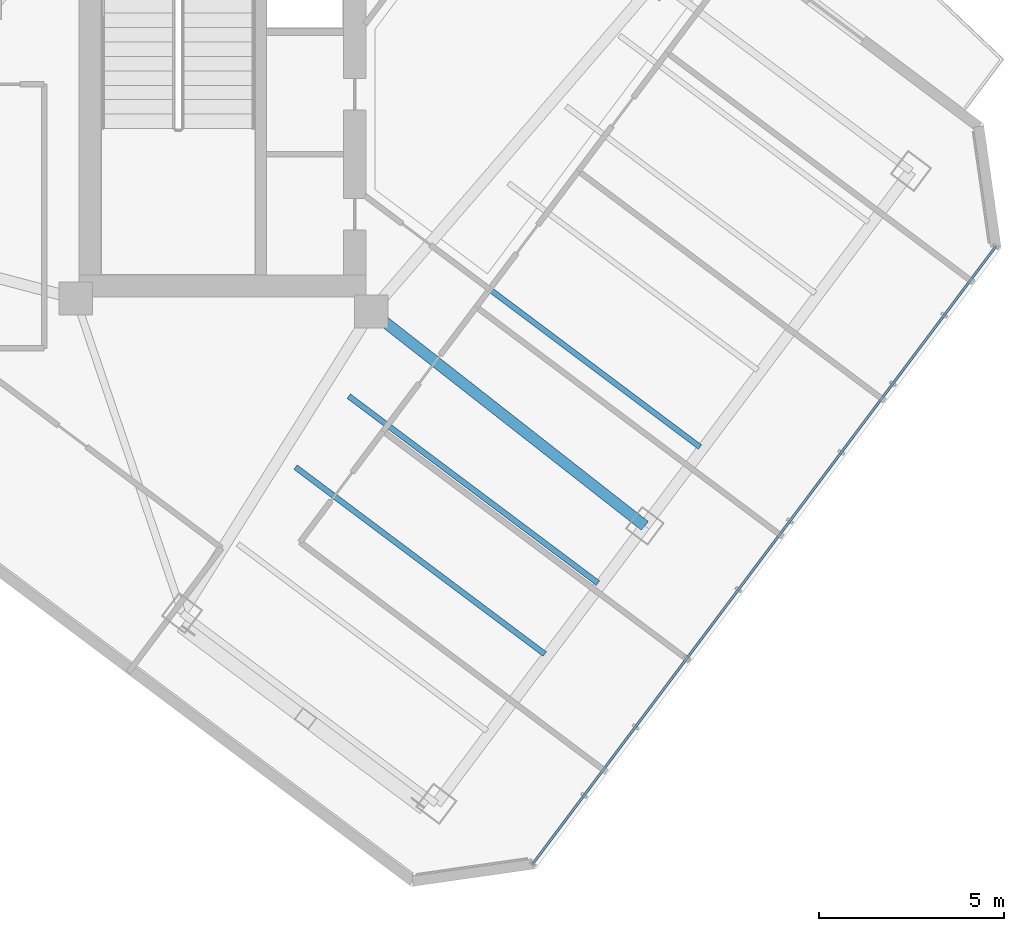
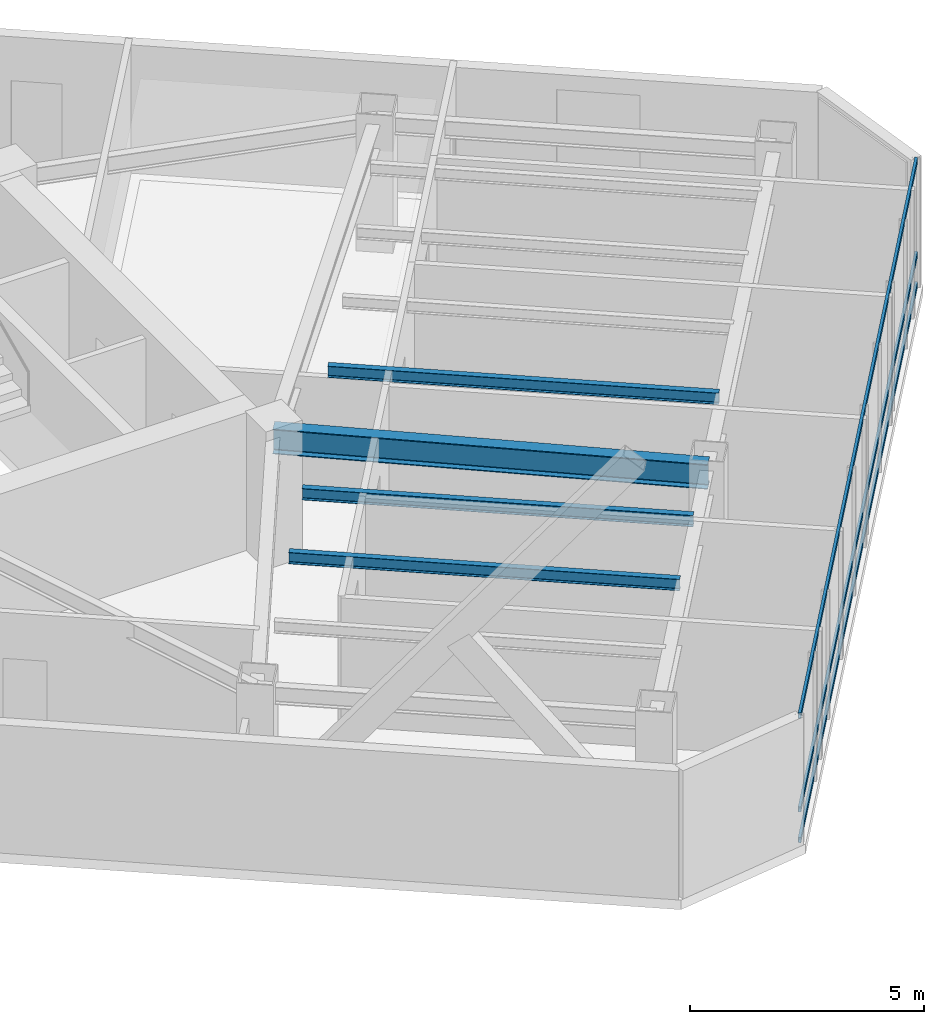
# One storey, part 12 of 27: 4 beams, 3 members, 1 element without a shape of its own.
"""IFC4 building model written with IfcOpenShell, lengths in metres."""

from ifc_helpers import new_model, si_unit, direction, frame, origin, origin_2d, place, context, subcontext, project, spatial, hollow_rectangle, i_section, extrude, material, layer, layer_set, material_profile, profile_set, type_object, element, aggregate, save


model = new_model("IFC4")

# Units and contexts
model_context = context("Model", 3, precision=1e-05, world=origin(), true_north=direction((0.0, 1.0)))
body_context = subcontext(model_context, "Body", "Model", "MODEL_VIEW")
ifc_project = project(units=[si_unit("LENGTHUNIT", "METRE"), si_unit("AREAUNIT", "SQUARE_METRE"), si_unit("VOLUMEUNIT", "CUBIC_METRE"), si_unit("PLANEANGLEUNIT", "RADIAN"), si_unit("MASSUNIT", "GRAM", prefix="KILO")], contexts=[model_context])

# Site, building, storey
site_placement = place(None, origin())
site = spatial("IfcSite", under=ifc_project, at=site_placement, CompositionType="ELEMENT")
building_placement = place(site_placement, origin())
building = spatial("IfcBuilding", under=site, at=building_placement, Name="Hatsunagi Terrace Concourse", CompositionType="ELEMENT")
storey_placement = place(building_placement, frame((0.0, 0.0, 167.25)))
storey = spatial("IfcBuildingStorey", under=building, at=storey_placement, Name="L44", CompositionType="ELEMENT", Elevation=167.25)

# Curtain wall, members
ifc_material_1 = material(Name="Anodised Aluminium Alloy 6063-T5", Category="aluminium")
ifc_layer = layer(ifc_material_1, 0.199951171875)
ifc_layer_set = layer_set([ifc_layer], Name="OfficeZone1_CW03")
curtain_wall_type = type_object("IfcCurtainWallType", Name="OfficeZone1_CW03", PredefinedType="NOTDEFINED", material=ifc_layer_set)
curtain_wall_placement = place(storey_placement, origin())
curtain_wall = element("IfcCurtainWall", 1, at=curtain_wall_placement, inside=storey, type_object=curtain_wall_type, Name="Unitised Curtain Wall CW-03 CW-L44-03", PredefinedType="NOTDEFINED")
ifc_material_2 = material(Name="Anodised Aluminium Alloy 6063-T5", Category="aluminium")
ifc_material_profile_1 = material_profile(ifc_material_2, hollow_rectangle(XDim=0.06494140625, YDim=0.139892578125, WallThickness=0.00390625, at=origin_2d()), Name="ALU-TRN-140x65x4")
ifc_profile_set_1 = profile_set([ifc_material_profile_1], Name="Anodised Aluminium Alloy 6063-T5")
member_type = type_object("IfcMemberType", Name="CurtainWallTransom_140x65", PredefinedType="USERDEFINED", material=ifc_profile_set_1)
member_1_placement = place(storey_placement, frame((60.693115234375, 25.9580078125, 0.050048828125), z_axis=(-0.599970072971, -0.800022444397, 0.0), x_axis=(0.800022444397, -0.599970072971, 0.0)))
member_1 = element("IfcMember", 2, at=member_1_placement, type_object=member_type, Name="Curtain Wall Transom TRN-02", ObjectType="TRANSOM", PredefinedType="USERDEFINED", context=body_context, shape_type="SweptSolid", body=[
    extrude(hollow_rectangle(XDim=0.06494140625, YDim=0.139892578125, WallThickness=0.00390625, at=origin_2d()), origin(), (0.0, 0.0, 1.0), 20.884521484375),
])
member_2_placement = place(storey_placement, frame((60.693115234375, 25.9580078125, 0.85009765625), z_axis=(-0.599970072971, -0.800022444397, 0.0), x_axis=(0.800022444397, -0.599970072971, 0.0)))
member_2 = element("IfcMember", 3, at=member_2_placement, type_object=member_type, Name="Curtain Wall Transom TRN-02", ObjectType="TRANSOM", PredefinedType="USERDEFINED", context=body_context, shape_type="SweptSolid", body=[
    extrude(hollow_rectangle(XDim=0.06494140625, YDim=0.139892578125, WallThickness=0.00390625, at=origin_2d()), origin(), (0.0, 0.0, 1.0), 20.884521484375),
])
member_3_placement = place(storey_placement, frame((60.693115234375, 25.9580078125, 3.300048828125), z_axis=(-0.599970072971, -0.800022444397, 0.0), x_axis=(0.800022444397, -0.599970072971, 0.0)))
member_3 = element("IfcMember", 4, at=member_3_placement, type_object=member_type, Name="Curtain Wall Transom TRN-02", ObjectType="TRANSOM", PredefinedType="USERDEFINED", context=body_context, shape_type="SweptSolid", body=[
    extrude(hollow_rectangle(XDim=0.06494140625, YDim=0.139892578125, WallThickness=0.00390625, at=origin_2d()), origin(), (0.0, 0.0, 1.0), 20.884521484375),
])
aggregate(curtain_wall, [member_1, member_2, member_3])

# Beams
ifc_material_3 = material(Name="Steel SN490B", Category="steel")
ifc_material_profile_2 = material_profile(ifc_material_3, i_section(OverallWidth=0.14990234375, OverallDepth=0.300048828125, WebThickness=0.006591796875, FlangeThickness=0.009033203125, FilletRadius=0.010986328125, at=origin_2d()), Name="H-300x150x6.5x9")
ifc_profile_set_2 = profile_set([ifc_material_profile_2], Name="Steel SN490B")
beam_type_1 = type_object("IfcBeamType", Name="OfficeJoist_H_300x150", PredefinedType="JOIST", material=ifc_profile_set_2)
for number, where, z_axis, x_axis, name in (
    (5, (41.748046875, 19.989013671875, 3.199951171875), (0.799989573921, -0.600013901187, 0.0), (0.600013901187, 0.799989573921, 0.0), "Beam J-03 J-L44-SE-2-72"),
    (6, (43.18798828125, 21.908935546875, 3.199951171875), (0.800003475366, -0.59999536615, 0.0), (0.59999536615, 0.800003475366, 0.0), "Beam J-03 J-L44-SE-2-96"),
    (7, (45.947998046875, 25.589111328125, 3.199951171875), (0.799989573921, -0.600013901187, 0.0), (0.600013901187, 0.799989573921, 0.0), "Beam J-03 J-L44-SE-2-142"),
):
    element("IfcBeam", number, at=place(storey_placement, frame(where, z_axis=z_axis, x_axis=x_axis)), inside=storey, type_object=beam_type_1, Name=name, PredefinedType="JOIST", context=body_context, shape_type="SweptSolid", body=[
        extrude(i_section(OverallWidth=0.14990234375, OverallDepth=0.300048828125, WebThickness=0.006591796875, FlangeThickness=0.009033203125, FilletRadius=0.010986328125, at=origin_2d()), origin(), (0.0, 0.0, 1.0), 8.429931640625),
    ])
ifc_material_4 = material(Name="Steel SN490B", Category="steel")
ifc_material_profile_3 = material_profile(ifc_material_4, i_section(OverallWidth=0.300048828125, OverallDepth=0.64990234375, WebThickness=0.012939453125, FlangeThickness=0.02197265625, FilletRadius=0.01806640625, at=origin_2d()), Name="H-650x300x13x22")
ifc_profile_set_3 = profile_set([ifc_material_profile_3], Name="Steel SN490B")
beam_type_2 = type_object("IfcBeamType", Name="OfficeLowGirder_H_650x300", PredefinedType="BEAM", material=ifc_profile_set_3)
beam_placement = place(storey_placement, frame((43.800048828125, 24.199951171875, 3.02490234375), z_axis=(0.787049441068, -0.616889923175, 0.0), x_axis=(0.616889923175, 0.787049441068, 0.0)))
element("IfcBeam", 8, at=beam_placement, inside=storey, type_object=beam_type_2, Name="Beam G-05 BM-L44-SE-M2", PredefinedType="BEAM", context=body_context, shape_type="SweptSolid", body=[
    extrude(i_section(OverallWidth=0.300048828125, OverallDepth=0.64990234375, WebThickness=0.012939453125, FlangeThickness=0.02197265625, FilletRadius=0.01806640625, at=origin_2d()), origin(), (0.0, 0.0, 1.0), 9.402099609375),
])

save(model, "model.ifc")
